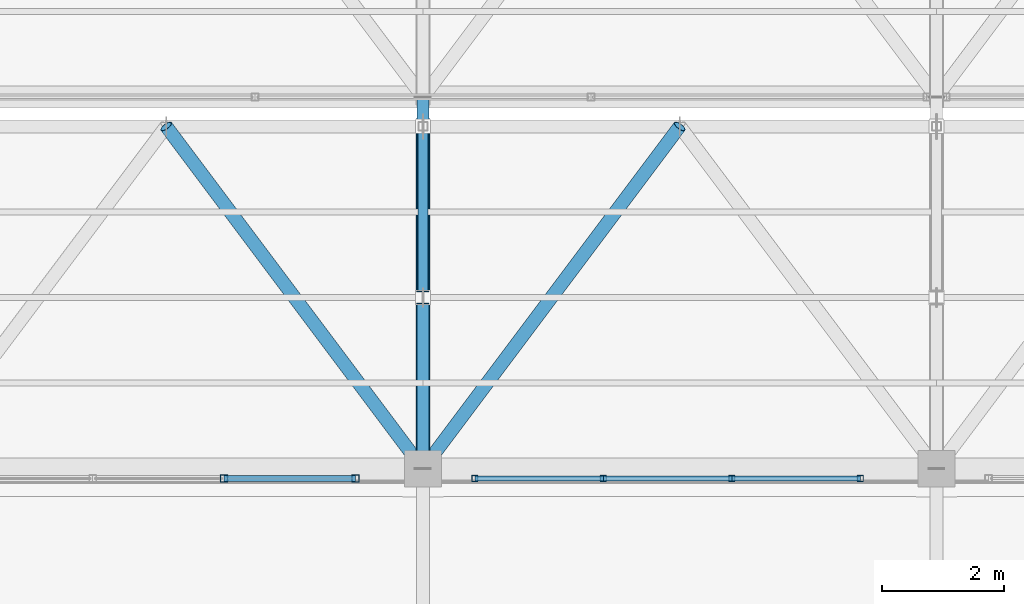
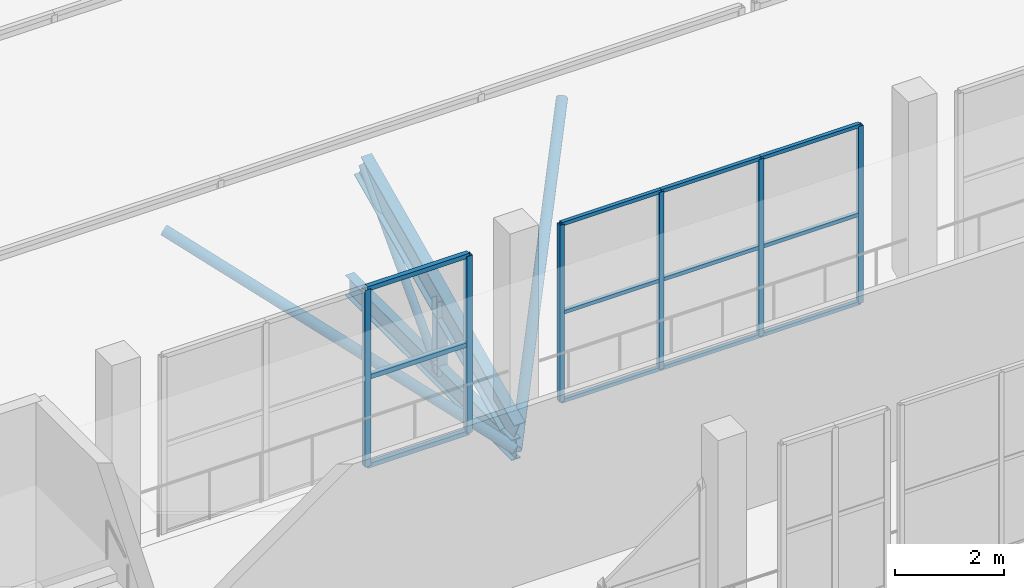
# One storey, part 89 of 217: 24 members, 2 elements without a shape of their own.
"""IFC4 building model written with IfcOpenShell, lengths in metres."""

from ifc_helpers import new_model, si_unit, direction, frame, origin, origin_2d, place, context, subcontext, project, spatial, hollow_rectangle, hollow_circle, i_section, extrude, material, material_profile, profile_set, type_object, element, aggregate, save


model = new_model("IFC4")

# Units and contexts
model_context = context("Model", 3, precision=1e-05, world=origin(), true_north=direction((0.0, 1.0)))
body_context = subcontext(model_context, "Body", "Model", "MODEL_VIEW")
ifc_project = project(units=[si_unit("LENGTHUNIT", "METRE"), si_unit("AREAUNIT", "SQUARE_METRE"), si_unit("VOLUMEUNIT", "CUBIC_METRE"), si_unit("PLANEANGLEUNIT", "RADIAN"), si_unit("MASSUNIT", "GRAM", prefix="KILO")], contexts=[model_context])

# Site, building, storey
site_placement = place(None, origin())
site = spatial("IfcSite", under=ifc_project, at=site_placement, CompositionType="ELEMENT")
building_placement = place(site_placement, origin())
building = spatial("IfcBuilding", under=site, at=building_placement, Name="Zuvorla Pavilion Media Centre", CompositionType="ELEMENT")
storey_placement = place(building_placement, frame((0.0, 0.0, 9.60009765625)))
storey = spatial("IfcBuildingStorey", under=building, at=storey_placement, Name="L02", CompositionType="ELEMENT", Elevation=9.60009765625)

# Curtain wall, members
ifc_material_1 = material(Name="Unitised anodised aluminium and solar glass curtain wall", Category="aluminium")
curtain_wall_type_1 = type_object("IfcCurtainWallType", Name="CW-SYS-12", PredefinedType="USERDEFINED", material=ifc_material_1)
curtain_wall_1_placement = place(storey_placement, origin())
curtain_wall_1 = element("IfcCurtainWall", 1, at=curtain_wall_1_placement, inside=storey, type_object=curtain_wall_type_1, Name="L02 curtain wall CW12 17", ObjectType="CURTAIN WALL", PredefinedType="USERDEFINED")
ifc_material_2 = material(Name="Anodised aluminium 6063-T6", Category="aluminium")
ifc_material_profile_1 = material_profile(ifc_material_2, hollow_rectangle(XDim=0.10009765625, YDim=0.10009765625, WallThickness=0.00439453125, at=origin_2d()), Name="ALU MULL 100x100")
ifc_profile_set_1 = profile_set([ifc_material_profile_1], Name="Anodised aluminium 6063-T6")
member_type_1 = type_object("IfcMemberType", Name="CW-MULL-100", PredefinedType="MULLION", material=ifc_profile_set_1)
member_1_placement = place(storey_placement, frame((115.954345703125, 89.43994140625, 0.0), z_axis=(0.0, 0.0, 1.0), x_axis=(1.0, 0.0, 0.0)))
member_1 = element("IfcMember", 2, at=member_1_placement, type_object=member_type_1, Name="CW12 mullion 1", PredefinedType="MULLION", context=body_context, shape_type="SweptSolid", body=[
    extrude(hollow_rectangle(XDim=0.10009765625, YDim=0.10009765625, WallThickness=0.00439453125, at=origin_2d()), origin(), (0.0, 0.0, 1.0), 3.949951171875),
])
member_2_placement = place(storey_placement, frame((113.85302734375, 89.43994140625, 0.0), z_axis=(0.0, 0.0, 1.0), x_axis=(1.0, 0.0, 0.0)))
member_2 = element("IfcMember", 3, at=member_2_placement, type_object=member_type_1, Name="CW12 mullion 2", PredefinedType="MULLION", context=body_context, shape_type="SweptSolid", body=[
    extrude(hollow_rectangle(XDim=0.10009765625, YDim=0.10009765625, WallThickness=0.00439453125, at=origin_2d()), origin(), (0.0, 0.0, 1.0), 3.949951171875),
])
member_3_placement = place(storey_placement, frame((111.751708984375, 89.43994140625, 0.0), z_axis=(0.0, 0.0, 1.0), x_axis=(1.0, 0.0, 0.0)))
member_3 = element("IfcMember", 4, at=member_3_placement, type_object=member_type_1, Name="CW12 mullion 3", PredefinedType="MULLION", context=body_context, shape_type="SweptSolid", body=[
    extrude(hollow_rectangle(XDim=0.10009765625, YDim=0.10009765625, WallThickness=0.00439453125, at=origin_2d()), origin(), (0.0, 0.0, 1.0), 3.949951171875),
])
member_4_placement = place(storey_placement, frame((109.650390625, 89.43994140625, 0.0), z_axis=(0.0, 0.0, 1.0), x_axis=(1.0, 0.0, 0.0)))
member_4 = element("IfcMember", 5, at=member_4_placement, type_object=member_type_1, Name="CW12 mullion 4", PredefinedType="MULLION", context=body_context, shape_type="SweptSolid", body=[
    extrude(hollow_rectangle(XDim=0.10009765625, YDim=0.10009765625, WallThickness=0.00439453125, at=origin_2d()), origin(), (0.0, 0.0, 1.0), 3.949951171875),
])

curtain_wall_type_2 = type_object("IfcCurtainWallType", Name="CW-SYS-13", PredefinedType="USERDEFINED", material=ifc_material_1)
curtain_wall_2_placement = place(storey_placement, origin())
curtain_wall_2 = element("IfcCurtainWall", 6, at=curtain_wall_2_placement, inside=storey, type_object=curtain_wall_type_2, Name="L02 curtain wall CW13 18", ObjectType="CURTAIN WALL", PredefinedType="USERDEFINED")
ifc_material_profile_2 = material_profile(ifc_material_2, hollow_rectangle(XDim=0.1201171875, YDim=0.1201171875, WallThickness=0.0048828125, at=origin_2d()), Name="ALU MULL 120x120")
ifc_profile_set_2 = profile_set([ifc_material_profile_2], Name="Anodised aluminium 6063-T6")
member_type_2 = type_object("IfcMemberType", Name="CW-MULL-120", PredefinedType="MULLION", material=ifc_profile_set_2)
member_5_placement = place(storey_placement, frame((107.697021484375, 89.43994140625, 0.0), z_axis=(0.0, 0.0, 1.0), x_axis=(1.0, 0.0, 0.0)))
member_5 = element("IfcMember", 7, at=member_5_placement, type_object=member_type_2, Name="CW13 mullion 1", PredefinedType="MULLION", context=body_context, shape_type="SweptSolid", body=[
    extrude(hollow_rectangle(XDim=0.1201171875, YDim=0.1201171875, WallThickness=0.0048828125, at=origin_2d()), origin(), (0.0, 0.0, 1.0), 3.949951171875),
])
member_6_placement = place(storey_placement, frame((105.548095703125, 89.43994140625, 0.0), z_axis=(0.0, 0.0, 1.0), x_axis=(1.0, 0.0, 0.0)))
member_6 = element("IfcMember", 8, at=member_6_placement, type_object=member_type_2, Name="CW13 mullion 2", PredefinedType="MULLION", context=body_context, shape_type="SweptSolid", body=[
    extrude(hollow_rectangle(XDim=0.1201171875, YDim=0.1201171875, WallThickness=0.0048828125, at=origin_2d()), origin(), (0.0, 0.0, 1.0), 3.949951171875),
])
ifc_material_profile_3 = material_profile(ifc_material_2, hollow_rectangle(XDim=0.10009765625, YDim=0.10009765625, WallThickness=0.00439453125, at=origin_2d()), Name="ALU TRAN 100x100")
ifc_profile_set_3 = profile_set([ifc_material_profile_3], Name="Anodised aluminium 6063-T6")
member_type_3 = type_object("IfcMemberType", Name="CW-TRAN-100", PredefinedType="USERDEFINED", material=ifc_profile_set_3)
member_7_placement = place(storey_placement, frame((107.697021484375, 89.43994140625, 0.0), z_axis=(-1.0, 0.0, 0.0), x_axis=(0.0, -1.0, 0.0)))
member_7 = element("IfcMember", 9, at=member_7_placement, type_object=member_type_3, Name="CW13 transom 1.1", ObjectType="TRANSOM", PredefinedType="USERDEFINED", context=body_context, shape_type="SweptSolid", body=[
    extrude(hollow_rectangle(XDim=0.10009765625, YDim=0.10009765625, WallThickness=0.00439453125, at=origin_2d()), origin(), (0.0, 0.0, 1.0), 2.14892578125),
])
member_8_placement = place(storey_placement, frame((107.697021484375, 89.43994140625, 1.974853515625), z_axis=(-1.0, 0.0, 0.0), x_axis=(0.0, -1.0, 0.0)))
member_8 = element("IfcMember", 10, at=member_8_placement, type_object=member_type_3, Name="CW13 transom 1.2", ObjectType="TRANSOM", PredefinedType="USERDEFINED", context=body_context, shape_type="SweptSolid", body=[
    extrude(hollow_rectangle(XDim=0.10009765625, YDim=0.10009765625, WallThickness=0.00439453125, at=origin_2d()), origin(), (0.0, 0.0, 1.0), 2.14892578125),
])
member_9_placement = place(storey_placement, frame((107.697021484375, 89.43994140625, 3.949951171875), z_axis=(-1.0, 0.0, 0.0), x_axis=(0.0, -1.0, 0.0)))
member_9 = element("IfcMember", 11, at=member_9_placement, type_object=member_type_3, Name="CW13 transom 1.3", ObjectType="TRANSOM", PredefinedType="USERDEFINED", context=body_context, shape_type="SweptSolid", body=[
    extrude(hollow_rectangle(XDim=0.10009765625, YDim=0.10009765625, WallThickness=0.00439453125, at=origin_2d()), origin(), (0.0, 0.0, 1.0), 2.14892578125),
])
aggregate(curtain_wall_2, [member_5, member_6, member_7, member_8, member_9])

# Member
ifc_material_profile_4 = material_profile(ifc_material_2, hollow_rectangle(XDim=0.080078125, YDim=0.080078125, WallThickness=0.00390625, at=origin_2d()), Name="ALU TRAN 80x80")
ifc_profile_set_4 = profile_set([ifc_material_profile_4], Name="Anodised aluminium 6063-T6")
member_type_4 = type_object("IfcMemberType", Name="CW-TRAN-80", PredefinedType="USERDEFINED", material=ifc_profile_set_4)
member_10_placement = place(storey_placement, frame((115.954345703125, 89.43994140625, 0.0), z_axis=(-1.0, 0.0, 0.0), x_axis=(0.0, -1.0, 0.0)))
member_10 = element("IfcMember", 12, at=member_10_placement, type_object=member_type_4, Name="CW12 transom 1.1", ObjectType="TRANSOM", PredefinedType="USERDEFINED", context=body_context, shape_type="SweptSolid", body=[
    extrude(hollow_rectangle(XDim=0.080078125, YDim=0.080078125, WallThickness=0.00390625, at=origin_2d()), origin(), (0.0, 0.0, 1.0), 2.101318359375),
])

member_11_placement = place(storey_placement, frame((115.954345703125, 89.43994140625, 1.974853515625), z_axis=(-1.0, 0.0, 0.0), x_axis=(0.0, -1.0, 0.0)))
member_11 = element("IfcMember", 13, at=member_11_placement, type_object=member_type_4, Name="CW12 transom 1.2", ObjectType="TRANSOM", PredefinedType="USERDEFINED", context=body_context, shape_type="SweptSolid", body=[
    extrude(hollow_rectangle(XDim=0.080078125, YDim=0.080078125, WallThickness=0.00390625, at=origin_2d()), origin(), (0.0, 0.0, 1.0), 2.101318359375),
])

member_12_placement = place(storey_placement, frame((115.954345703125, 89.43994140625, 3.949951171875), z_axis=(-1.0, 0.0, 0.0), x_axis=(0.0, -1.0, 0.0)))
member_12 = element("IfcMember", 14, at=member_12_placement, type_object=member_type_4, Name="CW12 transom 1.3", ObjectType="TRANSOM", PredefinedType="USERDEFINED", context=body_context, shape_type="SweptSolid", body=[
    extrude(hollow_rectangle(XDim=0.080078125, YDim=0.080078125, WallThickness=0.00390625, at=origin_2d()), origin(), (0.0, 0.0, 1.0), 2.101318359375),
])

member_13_placement = place(storey_placement, frame((113.85302734375, 89.43994140625, 0.0), z_axis=(-1.0, 0.0, 0.0), x_axis=(0.0, -1.0, 0.0)))
member_13 = element("IfcMember", 15, at=member_13_placement, type_object=member_type_4, Name="CW12 transom 2.1", ObjectType="TRANSOM", PredefinedType="USERDEFINED", context=body_context, shape_type="SweptSolid", body=[
    extrude(hollow_rectangle(XDim=0.080078125, YDim=0.080078125, WallThickness=0.00390625, at=origin_2d()), origin(), (0.0, 0.0, 1.0), 2.101318359375),
])

member_14_placement = place(storey_placement, frame((113.85302734375, 89.43994140625, 1.974853515625), z_axis=(-1.0, 0.0, 0.0), x_axis=(0.0, -1.0, 0.0)))
member_14 = element("IfcMember", 16, at=member_14_placement, type_object=member_type_4, Name="CW12 transom 2.2", ObjectType="TRANSOM", PredefinedType="USERDEFINED", context=body_context, shape_type="SweptSolid", body=[
    extrude(hollow_rectangle(XDim=0.080078125, YDim=0.080078125, WallThickness=0.00390625, at=origin_2d()), origin(), (0.0, 0.0, 1.0), 2.101318359375),
])

member_15_placement = place(storey_placement, frame((113.85302734375, 89.43994140625, 3.949951171875), z_axis=(-1.0, 0.0, 0.0), x_axis=(0.0, -1.0, 0.0)))
member_15 = element("IfcMember", 17, at=member_15_placement, type_object=member_type_4, Name="CW12 transom 2.3", ObjectType="TRANSOM", PredefinedType="USERDEFINED", context=body_context, shape_type="SweptSolid", body=[
    extrude(hollow_rectangle(XDim=0.080078125, YDim=0.080078125, WallThickness=0.00390625, at=origin_2d()), origin(), (0.0, 0.0, 1.0), 2.101318359375),
])

member_16_placement = place(storey_placement, frame((111.751708984375, 89.43994140625, 0.0), z_axis=(-1.0, 0.0, 0.0), x_axis=(0.0, -1.0, 0.0)))
member_16 = element("IfcMember", 18, at=member_16_placement, type_object=member_type_4, Name="CW12 transom 3.1", ObjectType="TRANSOM", PredefinedType="USERDEFINED", context=body_context, shape_type="SweptSolid", body=[
    extrude(hollow_rectangle(XDim=0.080078125, YDim=0.080078125, WallThickness=0.00390625, at=origin_2d()), origin(), (0.0, 0.0, 1.0), 2.101318359375),
])

member_17_placement = place(storey_placement, frame((111.751708984375, 89.43994140625, 1.974853515625), z_axis=(-1.0, 0.0, 0.0), x_axis=(0.0, -1.0, 0.0)))
member_17 = element("IfcMember", 19, at=member_17_placement, type_object=member_type_4, Name="CW12 transom 3.2", ObjectType="TRANSOM", PredefinedType="USERDEFINED", context=body_context, shape_type="SweptSolid", body=[
    extrude(hollow_rectangle(XDim=0.080078125, YDim=0.080078125, WallThickness=0.00390625, at=origin_2d()), origin(), (0.0, 0.0, 1.0), 2.101318359375),
])

member_18_placement = place(storey_placement, frame((111.751708984375, 89.43994140625, 3.949951171875), z_axis=(-1.0, 0.0, 0.0), x_axis=(0.0, -1.0, 0.0)))
member_18 = element("IfcMember", 20, at=member_18_placement, type_object=member_type_4, Name="CW12 transom 3.3", ObjectType="TRANSOM", PredefinedType="USERDEFINED", context=body_context, shape_type="SweptSolid", body=[
    extrude(hollow_rectangle(XDim=0.080078125, YDim=0.080078125, WallThickness=0.00390625, at=origin_2d()), origin(), (0.0, 0.0, 1.0), 2.101318359375),
])

aggregate(curtain_wall_1, [member_1, member_2, member_3, member_4, member_10, member_11, member_12, member_13, member_14, member_15, member_16, member_17, member_18])

# Members
ifc_material_3 = material(Name="Steel S355", Category="steel")
ifc_material_profile_5 = material_profile(ifc_material_3, hollow_circle(Radius=0.084228515625, WallThickness=0.008056640625, at=origin_2d()), Name="CHS 168.3x8")
ifc_profile_set_5 = profile_set([ifc_material_profile_5], Name="Steel S355")
member_type_5 = type_object("IfcMemberType", Name="MEM-BRC-CHS168", PredefinedType="BRACE", material=ifc_profile_set_5)
member_19_placement = place(storey_placement, frame((108.800048828125, 92.39990234375, -0.880126953125), z_axis=(0.0, 0.68676242614, 0.726881950555), x_axis=(-1.0, 0.0, 0.0)))
element("IfcMember", 21, at=member_19_placement, inside=storey, type_object=member_type_5, Name="L02 diagonal brace TB03 61", PredefinedType="BRACE", context=body_context, shape_type="SweptSolid", body=[
    extrude(hollow_circle(Radius=0.084228515625, WallThickness=0.008056640625, at=origin_2d()), origin(), (0.0, 0.0, 1.0), 4.0771484375),
])
ifc_material_profile_6 = material_profile(ifc_material_3, hollow_circle(Radius=0.109619140625, WallThickness=0.010009765625, at=origin_2d()), Name="CHS 219.1x10")
ifc_profile_set_6 = profile_set([ifc_material_profile_6], Name="Steel S355")
member_type_6 = type_object("IfcMemberType", Name="MEM-BRC-CHS219", PredefinedType="BRACE", material=ifc_profile_set_6)
for number, where, z_axis, x_axis, name in (
    (22, (104.60009765625, 95.199951171875, 2.08349609375), (0.552524670006, -0.736688854033, -0.389879495972), (0.799995814625, 0.600005580459, 0.0), "L02 diagonal brace TB02 104"),
    (23, (108.800048828125, 89.60009765625, -0.880126953125), (0.552524670006, 0.736688854033, 0.389879495972), (-0.799995814625, 0.600005580459, 0.0), "L02 diagonal brace TB02 109"),
):
    element("IfcMember", number, at=place(storey_placement, frame(where, z_axis=z_axis, x_axis=x_axis)), inside=storey, type_object=member_type_6, Name=name, PredefinedType="BRACE", context=body_context, shape_type="SweptSolid", body=[
        extrude(hollow_circle(Radius=0.109619140625, WallThickness=0.010009765625, at=origin_2d()), origin(), (0.0, 0.0, 1.0), 7.601318359375),
    ])
ifc_material_profile_7 = material_profile(ifc_material_3, i_section(OverallWidth=0.19140625, OverallDepth=0.4599609375, WebThickness=0.010009765625, FlangeThickness=0.01611328125, FilletRadius=0.01025390625, at=origin_2d()), Name="UB 457x191x82")
ifc_profile_set_7 = profile_set([ifc_material_profile_7], Name="Steel S355")
member_type_7 = type_object("IfcMemberType", Name="MEM-CHD-UB457", PredefinedType="CHORD", material=ifc_profile_set_7)
member_20_placement = place(storey_placement, frame((108.800048828125, 89.60009765625, -0.880126953125), z_axis=(0.0, 1.0, 0.0), x_axis=(-1.0, 0.0, 0.0)))
element("IfcMember", 24, at=member_20_placement, inside=storey, type_object=member_type_7, Name="L02 chord TC03 58", PredefinedType="CHORD", context=body_context, shape_type="SweptSolid", body=[
    extrude(i_section(OverallWidth=0.19140625, OverallDepth=0.4599609375, WebThickness=0.010009765625, FlangeThickness=0.01611328125, FilletRadius=0.01025390625, at=origin_2d()), origin(), (0.0, 0.0, 1.0), 6.079833984375),
])
ifc_material_profile_8 = material_profile(ifc_material_3, i_section(OverallWidth=0.22900390625, OverallDepth=0.6123046875, WebThickness=0.011962890625, FlangeThickness=0.01953125, FilletRadius=0.0126953125, at=origin_2d()), Name="UB 610x229x125")
ifc_profile_set_8 = profile_set([ifc_material_profile_8], Name="Steel S355")
member_type_8 = type_object("IfcMemberType", Name="MEM-CHD-UB610", PredefinedType="CHORD", material=ifc_profile_set_8)
member_21_placement = place(storey_placement, frame((108.800048828125, 89.60009765625, -0.5166015625), z_axis=(0.0, 0.906998718654, 0.421133380724), x_axis=(-1.0, 0.0, 0.0)))
element("IfcMember", 25, at=member_21_placement, inside=storey, type_object=member_type_8, Name="L02 chord TC01 59", PredefinedType="CHORD", context=body_context, shape_type="SweptSolid", body=[
    extrude(i_section(OverallWidth=0.22900390625, OverallDepth=0.6123046875, WebThickness=0.011962890625, FlangeThickness=0.01953125, FilletRadius=0.0126953125, at=origin_2d()), origin(), (0.0, 0.0, 1.0), 6.174072265625),
])
ifc_material_profile_9 = material_profile(ifc_material_3, i_section(OverallWidth=0.205810546875, OverallDepth=0.209716796875, WebThickness=0.009521484375, FlangeThickness=0.01416015625, FilletRadius=0.01025390625, at=origin_2d()), Name="UC 203x203x60")
ifc_profile_set_9 = profile_set([ifc_material_profile_9], Name="Steel S355")
member_type_9 = type_object("IfcMemberType", Name="MEM-STR-UC203", PredefinedType="STRUT", material=ifc_profile_set_9)
member_22_placement = place(storey_placement, frame((108.800048828125, 92.39990234375, -0.880126953125), z_axis=(0.0, 0.0, 1.0), x_axis=(1.0, 0.0, 0.0)))
element("IfcMember", 26, at=member_22_placement, inside=storey, type_object=member_type_9, Name="L02 vertical strut TS02 62", PredefinedType="STRUT", context=body_context, shape_type="SweptSolid", body=[
    extrude(i_section(OverallWidth=0.205810546875, OverallDepth=0.209716796875, WebThickness=0.009521484375, FlangeThickness=0.01416015625, FilletRadius=0.01025390625, at=origin_2d()), origin(), (0.0, 0.0, 1.0), 1.66357421875),
])

save(model, "model.ifc")
